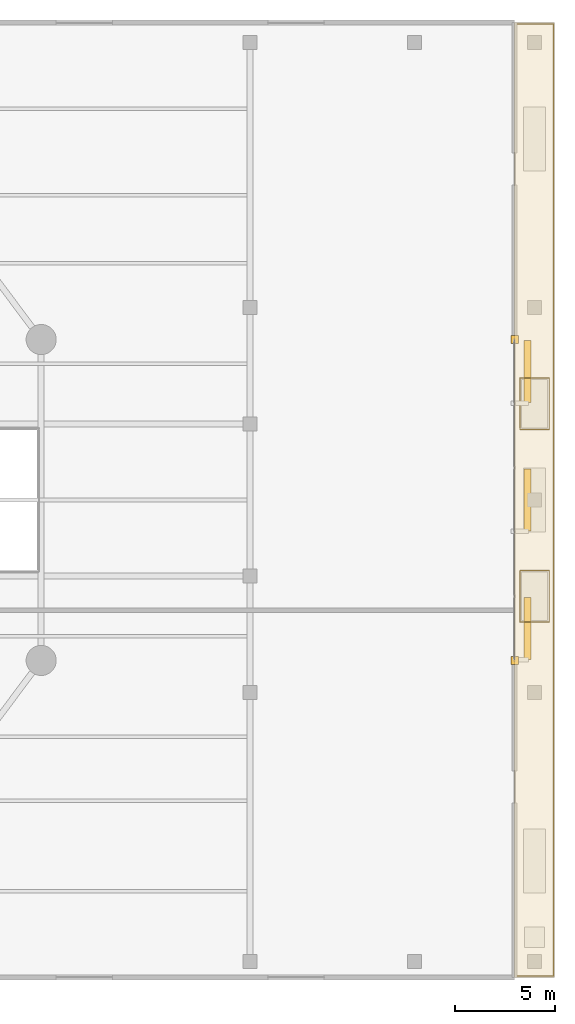
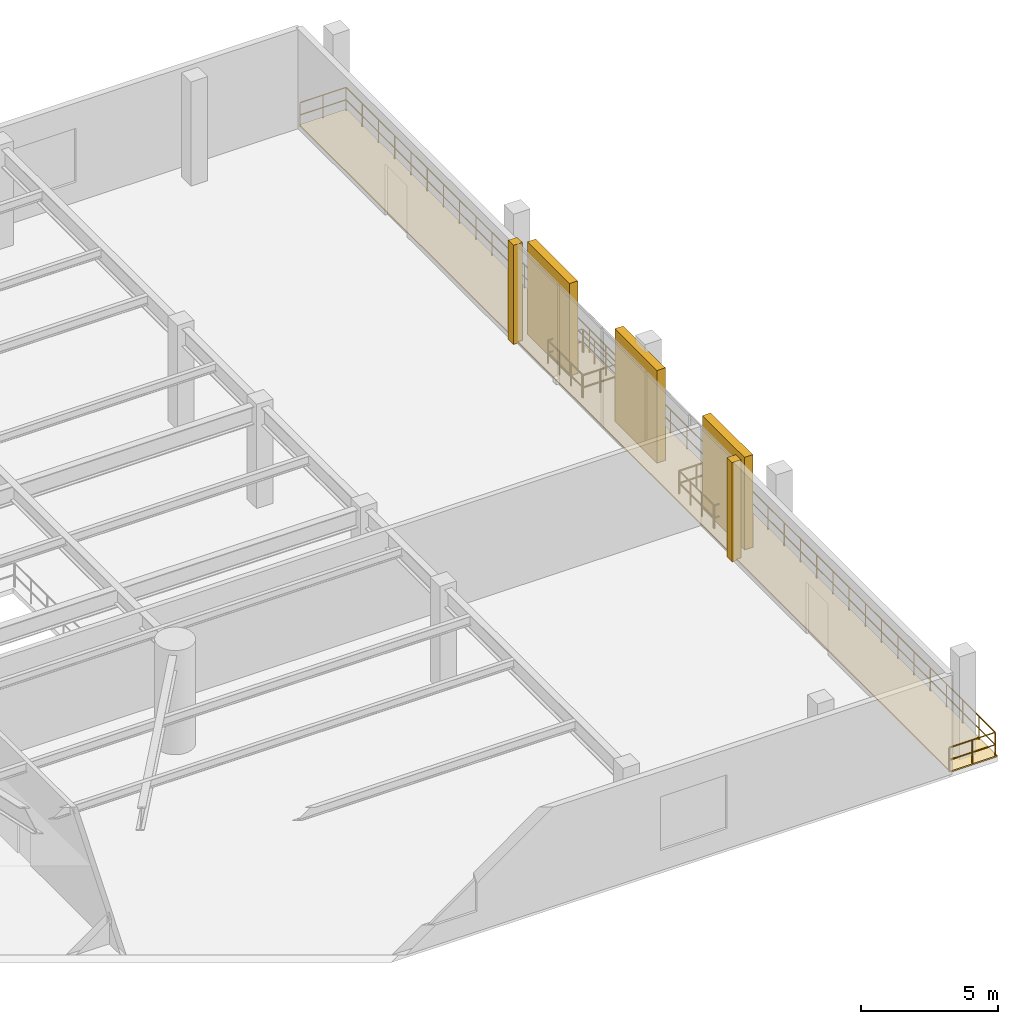
# One storey, part 16 of 16: 5 railings, 3 coverings, 3 shading devices.
"""IFC4 building model written with IfcOpenShell, lengths in metres."""

from ifc_helpers import new_model, si_unit, direction, frame, origin, origin_2d, place, context, subcontext, project, spatial, polyline, rectangle, circle, outline, extrude, material, layer, layer_set, type_object, element, save


model = new_model("IFC4")

# Units and contexts
model_context = context("Model", 3, precision=1e-05, world=origin(), true_north=direction((0.0, 1.0)))
body_context = subcontext(model_context, "Body", "Model", "MODEL_VIEW")
ifc_project = project(units=[si_unit("LENGTHUNIT", "METRE"), si_unit("AREAUNIT", "SQUARE_METRE"), si_unit("VOLUMEUNIT", "CUBIC_METRE"), si_unit("PLANEANGLEUNIT", "RADIAN"), si_unit("MASSUNIT", "GRAM", prefix="KILO")], contexts=[model_context])

# Site, building, storey
site_placement = place(None, origin())
site = spatial("IfcSite", under=ifc_project, at=site_placement, CompositionType="ELEMENT")
building_placement = place(site_placement, origin())
building = spatial("IfcBuilding", under=site, at=building_placement, Name="An Khanh Terracotta Commons", CompositionType="ELEMENT")
storey_placement = place(building_placement, frame((0.0, 0.0, 5.39990234375)))
storey = spatial("IfcBuildingStorey", under=building, at=storey_placement, Name="L02", CompositionType="ELEMENT", Elevation=5.39990234375)

# Coverings
ifc_material_1 = material(Name="Fired Terracotta Rainscreen Cladding", Category="masonry")
ifc_layer_1 = layer(ifc_material_1, 0.080078125, Name="Fired Terracotta Rainscreen Cladding")
ifc_layer_set_1 = layer_set([ifc_layer_1], Name="Fired Terracotta Rainscreen Cladding")
covering_type_1 = type_object("IfcCoveringType", Name="COV-JAMB-TERRA", PredefinedType="CLADDING", material=ifc_layer_set_1)
for number, where, z_axis, x_axis, name in (
    (1, (71.800048828125, 16.0, 0.0), (0.0, 0.0, 1.0), (1.0, 0.0, 0.0), "L02 CW-01 Curtain-Wall Jamb Closure JA"),
    (2, (71.800048828125, 32.0, 0.0), (0.0, 0.0, 1.0), (1.0, 0.0, 0.0), "L02 CW-01 Curtain-Wall Jamb Closure JB"),
):
    element("IfcCovering", number, at=place(storey_placement, frame(where, z_axis=z_axis, x_axis=x_axis)), inside=storey, type_object=covering_type_1, Name=name, PredefinedType="CLADDING", context=body_context, shape_type="SweptSolid", body=[
        extrude(rectangle(XDim=0.3798828125, YDim=0.3798828125, at=origin_2d()), origin(), (0.0, 0.0, 1.0), 4.429931640625),
    ])
ifc_material_2 = material(Name="Planted Garden Waterproofing Membrane")
ifc_layer_2 = layer(ifc_material_2, 0.080078125, Name="Planted Garden Waterproofing Membrane")
ifc_layer_set_2 = layer_set([ifc_layer_2], Name="Planted Garden Waterproofing Membrane")
covering_type_2 = type_object("IfcCoveringType", Name="COV-ROOFING-GREEN", PredefinedType="ROOFING", material=ifc_layer_set_2)
covering_placement = place(storey_placement, origin())
element("IfcCovering", 3, at=covering_placement, inside=storey, type_object=covering_type_2, Name="L02 Cascading Terrace Waterproofing and Drainage Mat", PredefinedType="ROOFING", context=body_context, shape_type="SweptSolid", body=[
    extrude(outline(polyline([(71.800048828125, 0.199951171875), (73.800048828125, 0.199951171875), (73.800048828125, 47.800048828125), (71.800048828125, 47.800048828125), (71.800048828125, 0.199951171875)])), origin(), (0.0, 0.0, 1.0), 0.06005859375),
])

# Railings
ifc_material_3 = material(Name="Brushed Stainless Steel 316", Category="steel")
railing_type = type_object("IfcRailingType", Name="RAIL-BALUSTRADE-1100", PredefinedType="BALUSTRADE", material=ifc_material_3)
railing_1_placement = place(storey_placement, frame((71.800048828125, 0.260009765625, 0.0)))
element("IfcRailing", 4, at=railing_1_placement, inside=storey, type_object=railing_type, Name="L02 Cascading Garden Terrace Balustrade", PredefinedType="BALUSTRADE", context=body_context, shape_type="SweptSolid", body=[
    extrude(circle(Radius=0.02392578125, at=origin_2d()), frame((0.0, 0.0, 1.076171875), z_axis=(1.0, 0.0, 0.0), x_axis=(0.0, 1.0, 0.0)), (0.0, 0.0, 1.0), 1.93994140625),
    extrude(circle(Radius=0.02392578125, at=origin_2d()), frame((0.0, 0.0, 0.52587890625), z_axis=(1.0, 0.0, 0.0), x_axis=(0.0, 1.0, 0.0)), (0.0, 0.0, 1.0), 1.93994140625),
    extrude(circle(Radius=0.02392578125, at=origin_2d()), frame((1.93994140625, 0.0, 1.076171875), z_axis=(0.0, 1.0, 0.0), x_axis=(-1.0, 0.0, 0.0)), (0.0, 0.0, 1.0), 47.47998046875),
    extrude(circle(Radius=0.02392578125, at=origin_2d()), frame((1.93994140625, 0.0, 0.52587890625), z_axis=(0.0, 1.0, 0.0), x_axis=(-1.0, 0.0, 0.0)), (0.0, 0.0, 1.0), 47.47998046875),
    extrude(circle(Radius=0.02392578125, at=origin_2d()), frame((1.93994140625, 47.47998046875, 1.076171875), z_axis=(-1.0, 0.0, 0.0), x_axis=(0.0, -1.0, 0.0)), (0.0, 0.0, 1.0), 1.93994140625),
    extrude(circle(Radius=0.02392578125, at=origin_2d()), frame((1.93994140625, 47.47998046875, 0.52587890625), z_axis=(-1.0, 0.0, 0.0), x_axis=(0.0, -1.0, 0.0)), (0.0, 0.0, 1.0), 1.93994140625),
    extrude(circle(Radius=0.02099609375, at=origin_2d()), origin(), (0.0, 0.0, 1.0), 1.052001953125),
    extrude(circle(Radius=0.02099609375, at=origin_2d()), frame((0.969970703125, 0.0, 0.0)), (0.0, 0.0, 1.0), 1.052001953125),
    extrude(circle(Radius=0.02099609375, at=origin_2d()), frame((1.93994140625, 0.0, 0.0)), (0.0, 0.0, 1.0), 1.052001953125),
    extrude(circle(Radius=0.02099609375, at=origin_2d()), frame((1.93994140625, 1.18701171875, 0.0)), (0.0, 0.0, 1.0), 1.052001953125),
    extrude(circle(Radius=0.02099609375, at=origin_2d()), frame((1.93994140625, 2.3740234375, 0.0)), (0.0, 0.0, 1.0), 1.052001953125),
    extrude(circle(Radius=0.02099609375, at=origin_2d()), frame((1.93994140625, 3.56103515625, 0.0)), (0.0, 0.0, 1.0), 1.052001953125),
    extrude(circle(Radius=0.02099609375, at=origin_2d()), frame((1.93994140625, 4.748046875, 0.0)), (0.0, 0.0, 1.0), 1.052001953125),
    extrude(circle(Radius=0.02099609375, at=origin_2d()), frame((1.93994140625, 5.93505859375, 0.0)), (0.0, 0.0, 1.0), 1.052001953125),
    extrude(circle(Radius=0.02099609375, at=origin_2d()), frame((1.93994140625, 7.1220703125, 0.0)), (0.0, 0.0, 1.0), 1.052001953125),
    extrude(circle(Radius=0.02099609375, at=origin_2d()), frame((1.93994140625, 8.30908203125, 0.0)), (0.0, 0.0, 1.0), 1.052001953125),
    extrude(circle(Radius=0.02099609375, at=origin_2d()), frame((1.93994140625, 9.49609375, 0.0)), (0.0, 0.0, 1.0), 1.052001953125),
    extrude(circle(Radius=0.02099609375, at=origin_2d()), frame((1.93994140625, 10.68310546875, 0.0)), (0.0, 0.0, 1.0), 1.052001953125),
    extrude(circle(Radius=0.02099609375, at=origin_2d()), frame((1.93994140625, 11.8701171875, 0.0)), (0.0, 0.0, 1.0), 1.052001953125),
    extrude(circle(Radius=0.02099609375, at=origin_2d()), frame((1.93994140625, 13.056884765625, 0.0)), (0.0, 0.0, 1.0), 1.052001953125),
    extrude(circle(Radius=0.02099609375, at=origin_2d()), frame((1.93994140625, 14.243896484375, 0.0)), (0.0, 0.0, 1.0), 1.052001953125),
    extrude(circle(Radius=0.02099609375, at=origin_2d()), frame((1.93994140625, 15.430908203125, 0.0)), (0.0, 0.0, 1.0), 1.052001953125),
    extrude(circle(Radius=0.02099609375, at=origin_2d()), frame((1.93994140625, 16.617919921875, 0.0)), (0.0, 0.0, 1.0), 1.052001953125),
    extrude(circle(Radius=0.02099609375, at=origin_2d()), frame((1.93994140625, 17.804931640625, 0.0)), (0.0, 0.0, 1.0), 1.052001953125),
    extrude(circle(Radius=0.02099609375, at=origin_2d()), frame((1.93994140625, 18.991943359375, 0.0)), (0.0, 0.0, 1.0), 1.052001953125),
    extrude(circle(Radius=0.02099609375, at=origin_2d()), frame((1.93994140625, 20.178955078125, 0.0)), (0.0, 0.0, 1.0), 1.052001953125),
    extrude(circle(Radius=0.02099609375, at=origin_2d()), frame((1.93994140625, 21.365966796875, 0.0)), (0.0, 0.0, 1.0), 1.052001953125),
    extrude(circle(Radius=0.02099609375, at=origin_2d()), frame((1.93994140625, 22.552978515625, 0.0)), (0.0, 0.0, 1.0), 1.052001953125),
    extrude(circle(Radius=0.02099609375, at=origin_2d()), frame((1.93994140625, 23.739990234375, 0.0)), (0.0, 0.0, 1.0), 1.052001953125),
    extrude(circle(Radius=0.02099609375, at=origin_2d()), frame((1.93994140625, 24.927001953125, 0.0)), (0.0, 0.0, 1.0), 1.052001953125),
    extrude(circle(Radius=0.02099609375, at=origin_2d()), frame((1.93994140625, 26.114013671875, 0.0)), (0.0, 0.0, 1.0), 1.052001953125),
    extrude(circle(Radius=0.02099609375, at=origin_2d()), frame((1.93994140625, 27.301025390625, 0.0)), (0.0, 0.0, 1.0), 1.052001953125),
    extrude(circle(Radius=0.02099609375, at=origin_2d()), frame((1.93994140625, 28.488037109375, 0.0)), (0.0, 0.0, 1.0), 1.052001953125),
    extrude(circle(Radius=0.02099609375, at=origin_2d()), frame((1.93994140625, 29.675048828125, 0.0)), (0.0, 0.0, 1.0), 1.052001953125),
    extrude(circle(Radius=0.02099609375, at=origin_2d()), frame((1.93994140625, 30.862060546875, 0.0)), (0.0, 0.0, 1.0), 1.052001953125),
    extrude(circle(Radius=0.02099609375, at=origin_2d()), frame((1.93994140625, 32.049072265625, 0.0)), (0.0, 0.0, 1.0), 1.052001953125),
    extrude(circle(Radius=0.02099609375, at=origin_2d()), frame((1.93994140625, 33.236083984375, 0.0)), (0.0, 0.0, 1.0), 1.052001953125),
    extrude(circle(Radius=0.02099609375, at=origin_2d()), frame((1.93994140625, 34.423095703125, 0.0)), (0.0, 0.0, 1.0), 1.052001953125),
    extrude(circle(Radius=0.02099609375, at=origin_2d()), frame((1.93994140625, 35.60986328125, 0.0)), (0.0, 0.0, 1.0), 1.052001953125),
    extrude(circle(Radius=0.02099609375, at=origin_2d()), frame((1.93994140625, 36.796875, 0.0)), (0.0, 0.0, 1.0), 1.052001953125),
    extrude(circle(Radius=0.02099609375, at=origin_2d()), frame((1.93994140625, 37.98388671875, 0.0)), (0.0, 0.0, 1.0), 1.052001953125),
    extrude(circle(Radius=0.02099609375, at=origin_2d()), frame((1.93994140625, 39.1708984375, 0.0)), (0.0, 0.0, 1.0), 1.052001953125),
    extrude(circle(Radius=0.02099609375, at=origin_2d()), frame((1.93994140625, 40.35791015625, 0.0)), (0.0, 0.0, 1.0), 1.052001953125),
    extrude(circle(Radius=0.02099609375, at=origin_2d()), frame((1.93994140625, 41.544921875, 0.0)), (0.0, 0.0, 1.0), 1.052001953125),
    extrude(circle(Radius=0.02099609375, at=origin_2d()), frame((1.93994140625, 42.73193359375, 0.0)), (0.0, 0.0, 1.0), 1.052001953125),
    extrude(circle(Radius=0.02099609375, at=origin_2d()), frame((1.93994140625, 43.9189453125, 0.0)), (0.0, 0.0, 1.0), 1.052001953125),
    extrude(circle(Radius=0.02099609375, at=origin_2d()), frame((1.93994140625, 45.10595703125, 0.0)), (0.0, 0.0, 1.0), 1.052001953125),
    extrude(circle(Radius=0.02099609375, at=origin_2d()), frame((1.93994140625, 46.29296875, 0.0)), (0.0, 0.0, 1.0), 1.052001953125),
    extrude(circle(Radius=0.02099609375, at=origin_2d()), frame((1.93994140625, 47.47998046875, 0.0)), (0.0, 0.0, 1.0), 1.052001953125),
    extrude(circle(Radius=0.02099609375, at=origin_2d()), frame((0.969970703125, 47.47998046875, 0.0)), (0.0, 0.0, 1.0), 1.052001953125),
    extrude(circle(Radius=0.02099609375, at=origin_2d()), frame((0.0, 47.47998046875, 0.0)), (0.0, 0.0, 1.0), 1.052001953125),
])
railing_2_placement = place(storey_placement, frame((72.070068359375, 17.919921875, 0.0)))
element("IfcRailing", 5, at=railing_2_placement, inside=storey, type_object=railing_type, Name="L02 Terrace Skylight Guard 1A", PredefinedType="BALUSTRADE", context=body_context, shape_type="SweptSolid", body=[
    extrude(circle(Radius=0.02392578125, at=origin_2d()), frame((0.0, 0.0, 1.076171875), z_axis=(1.0, 0.0, 0.0), x_axis=(0.0, 1.0, 0.0)), (0.0, 0.0, 1.0), 1.4599609375),
    extrude(circle(Radius=0.02392578125, at=origin_2d()), frame((0.0, 0.0, 0.52587890625), z_axis=(1.0, 0.0, 0.0), x_axis=(0.0, 1.0, 0.0)), (0.0, 0.0, 1.0), 1.4599609375),
    extrude(circle(Radius=0.02392578125, at=origin_2d()), frame((1.4599609375, 0.0, 1.076171875), z_axis=(0.0, 1.0, 0.0), x_axis=(-1.0, 0.0, 0.0)), (0.0, 0.0, 1.0), 2.510009765625),
    extrude(circle(Radius=0.02392578125, at=origin_2d()), frame((1.4599609375, 0.0, 0.52587890625), z_axis=(0.0, 1.0, 0.0), x_axis=(-1.0, 0.0, 0.0)), (0.0, 0.0, 1.0), 2.510009765625),
    extrude(circle(Radius=0.02099609375, at=origin_2d()), origin(), (0.0, 0.0, 1.0), 1.052001953125),
    extrude(circle(Radius=0.02099609375, at=origin_2d()), frame((0.72998046875, 0.0, 0.0)), (0.0, 0.0, 1.0), 1.052001953125),
    extrude(circle(Radius=0.02099609375, at=origin_2d()), frame((1.4599609375, 0.0, 0.0)), (0.0, 0.0, 1.0), 1.052001953125),
    extrude(circle(Radius=0.02099609375, at=origin_2d()), frame((1.4599609375, 0.836669921875, 0.0)), (0.0, 0.0, 1.0), 1.052001953125),
    extrude(circle(Radius=0.02099609375, at=origin_2d()), frame((1.4599609375, 1.67333984375, 0.0)), (0.0, 0.0, 1.0), 1.052001953125),
    extrude(circle(Radius=0.02099609375, at=origin_2d()), frame((1.4599609375, 2.510009765625, 0.0)), (0.0, 0.0, 1.0), 1.052001953125),
])
railing_3_placement = place(storey_placement, frame((73.530029296875, 20.47998046875, 0.0)))
element("IfcRailing", 6, at=railing_3_placement, inside=storey, type_object=railing_type, Name="L02 Terrace Skylight Guard 1B", PredefinedType="BALUSTRADE", context=body_context, shape_type="SweptSolid", body=[
    extrude(circle(Radius=0.02392578125, at=origin_2d()), frame((0.0, 0.0, 1.076171875), z_axis=(-1.0, 0.0, 0.0), x_axis=(0.0, -1.0, 0.0)), (0.0, 0.0, 1.0), 1.4599609375),
    extrude(circle(Radius=0.02392578125, at=origin_2d()), frame((0.0, 0.0, 0.52587890625), z_axis=(-1.0, 0.0, 0.0), x_axis=(0.0, -1.0, 0.0)), (0.0, 0.0, 1.0), 1.4599609375),
    extrude(circle(Radius=0.02392578125, at=origin_2d()), frame((-1.4599609375, 0.0, 1.076171875), z_axis=(0.0, -1.0, 0.0), x_axis=(1.0, 0.0, 0.0)), (0.0, 0.0, 1.0), 2.510009765625),
    extrude(circle(Radius=0.02392578125, at=origin_2d()), frame((-1.4599609375, 0.0, 0.52587890625), z_axis=(0.0, -1.0, 0.0), x_axis=(1.0, 0.0, 0.0)), (0.0, 0.0, 1.0), 2.510009765625),
    extrude(circle(Radius=0.02099609375, at=origin_2d()), origin(), (0.0, 0.0, 1.0), 1.052001953125),
    extrude(circle(Radius=0.02099609375, at=origin_2d()), frame((-0.72998046875, 0.0, 0.0)), (0.0, 0.0, 1.0), 1.052001953125),
    extrude(circle(Radius=0.02099609375, at=origin_2d()), frame((-1.4599609375, 0.0, 0.0)), (0.0, 0.0, 1.0), 1.052001953125),
    extrude(circle(Radius=0.02099609375, at=origin_2d()), frame((-1.4599609375, -0.836669921875, 0.0)), (0.0, 0.0, 1.0), 1.052001953125),
    extrude(circle(Radius=0.02099609375, at=origin_2d()), frame((-1.4599609375, -1.67333984375, 0.0)), (0.0, 0.0, 1.0), 1.052001953125),
    extrude(circle(Radius=0.02099609375, at=origin_2d()), frame((-1.4599609375, -2.510009765625, 0.0)), (0.0, 0.0, 1.0), 1.052001953125),
])
railing_4_placement = place(storey_placement, frame((72.070068359375, 27.52001953125, 0.0)))
element("IfcRailing", 7, at=railing_4_placement, inside=storey, type_object=railing_type, Name="L02 Terrace Skylight Guard 2A", PredefinedType="BALUSTRADE", context=body_context, shape_type="SweptSolid", body=[
    extrude(circle(Radius=0.02392578125, at=origin_2d()), frame((0.0, 0.0, 1.076171875), z_axis=(1.0, 0.0, 0.0), x_axis=(0.0, 1.0, 0.0)), (0.0, 0.0, 1.0), 1.4599609375),
    extrude(circle(Radius=0.02392578125, at=origin_2d()), frame((0.0, 0.0, 0.52587890625), z_axis=(1.0, 0.0, 0.0), x_axis=(0.0, 1.0, 0.0)), (0.0, 0.0, 1.0), 1.4599609375),
    extrude(circle(Radius=0.02392578125, at=origin_2d()), frame((1.4599609375, 0.0, 1.076171875), z_axis=(0.0, 1.0, 0.0), x_axis=(-1.0, 0.0, 0.0)), (0.0, 0.0, 1.0), 2.510009765625),
    extrude(circle(Radius=0.02392578125, at=origin_2d()), frame((1.4599609375, 0.0, 0.52587890625), z_axis=(0.0, 1.0, 0.0), x_axis=(-1.0, 0.0, 0.0)), (0.0, 0.0, 1.0), 2.510009765625),
    extrude(circle(Radius=0.02099609375, at=origin_2d()), origin(), (0.0, 0.0, 1.0), 1.052001953125),
    extrude(circle(Radius=0.02099609375, at=origin_2d()), frame((0.72998046875, 0.0, 0.0)), (0.0, 0.0, 1.0), 1.052001953125),
    extrude(circle(Radius=0.02099609375, at=origin_2d()), frame((1.4599609375, 0.0, 0.0)), (0.0, 0.0, 1.0), 1.052001953125),
    extrude(circle(Radius=0.02099609375, at=origin_2d()), frame((1.4599609375, 0.836669921875, 0.0)), (0.0, 0.0, 1.0), 1.052001953125),
    extrude(circle(Radius=0.02099609375, at=origin_2d()), frame((1.4599609375, 1.67333984375, 0.0)), (0.0, 0.0, 1.0), 1.052001953125),
    extrude(circle(Radius=0.02099609375, at=origin_2d()), frame((1.4599609375, 2.510009765625, 0.0)), (0.0, 0.0, 1.0), 1.052001953125),
])
railing_5_placement = place(storey_placement, frame((73.530029296875, 30.080078125, 0.0)))
element("IfcRailing", 8, at=railing_5_placement, inside=storey, type_object=railing_type, Name="L02 Terrace Skylight Guard 2B", PredefinedType="BALUSTRADE", context=body_context, shape_type="SweptSolid", body=[
    extrude(circle(Radius=0.02392578125, at=origin_2d()), frame((0.0, 0.0, 1.076171875), z_axis=(-1.0, 0.0, 0.0), x_axis=(0.0, -1.0, 0.0)), (0.0, 0.0, 1.0), 1.4599609375),
    extrude(circle(Radius=0.02392578125, at=origin_2d()), frame((0.0, 0.0, 0.52587890625), z_axis=(-1.0, 0.0, 0.0), x_axis=(0.0, -1.0, 0.0)), (0.0, 0.0, 1.0), 1.4599609375),
    extrude(circle(Radius=0.02392578125, at=origin_2d()), frame((-1.4599609375, 0.0, 1.076171875), z_axis=(0.0, -1.0, 0.0), x_axis=(1.0, 0.0, 0.0)), (0.0, 0.0, 1.0), 2.510009765625),
    extrude(circle(Radius=0.02392578125, at=origin_2d()), frame((-1.4599609375, 0.0, 0.52587890625), z_axis=(0.0, -1.0, 0.0), x_axis=(1.0, 0.0, 0.0)), (0.0, 0.0, 1.0), 2.510009765625),
    extrude(circle(Radius=0.02099609375, at=origin_2d()), origin(), (0.0, 0.0, 1.0), 1.052001953125),
    extrude(circle(Radius=0.02099609375, at=origin_2d()), frame((-0.72998046875, 0.0, 0.0)), (0.0, 0.0, 1.0), 1.052001953125),
    extrude(circle(Radius=0.02099609375, at=origin_2d()), frame((-1.4599609375, 0.0, 0.0)), (0.0, 0.0, 1.0), 1.052001953125),
    extrude(circle(Radius=0.02099609375, at=origin_2d()), frame((-1.4599609375, -0.836669921875, 0.0)), (0.0, 0.0, 1.0), 1.052001953125),
    extrude(circle(Radius=0.02099609375, at=origin_2d()), frame((-1.4599609375, -1.67333984375, 0.0)), (0.0, 0.0, 1.0), 1.052001953125),
    extrude(circle(Radius=0.02099609375, at=origin_2d()), frame((-1.4599609375, -2.510009765625, 0.0)), (0.0, 0.0, 1.0), 1.052001953125),
])

# Shading devices
ifc_material_4 = material(Name="Extruded Fired Terracotta", Category="masonry")
shading_device_type = type_object("IfcShadingDeviceType", Name="Terracotta Baguette Screen Assembly", PredefinedType="USERDEFINED", material=ifc_material_4)
for number, where, z_axis, x_axis, name in (
    (9, (72.449951171875, 17.60009765625, 0.150146484375), (0.0, 0.0, 1.0), (0.0, 1.0, 0.0), "L02 Terracotta Baguette Screen 1"),
    (10, (72.449951171875, 24.0, 0.150146484375), (0.0, 0.0, 1.0), (0.0, 1.0, 0.0), "L02 Terracotta Baguette Screen 3"),
    (11, (72.449951171875, 30.39990234375, 0.150146484375), (0.0, 0.0, 1.0), (0.0, 1.0, 0.0), "L02 Terracotta Baguette Screen 5"),
):
    element("IfcShadingDevice", number, at=place(storey_placement, frame(where, z_axis=z_axis, x_axis=x_axis)), inside=storey, type_object=shading_device_type, Name=name, ObjectType="BAGUETTE", PredefinedType="USERDEFINED", context=body_context, shape_type="SweptSolid", body=[
        extrude(rectangle(XDim=3.080078125, YDim=0.35009765625, at=origin_2d()), origin(), (0.0, 0.0, 1.0), 4.1298828125),
    ])

save(model, "model.ifc")
